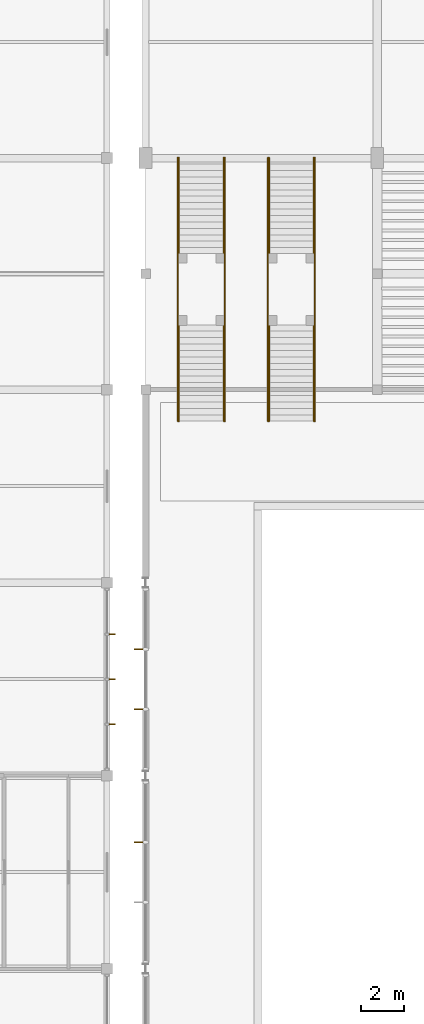
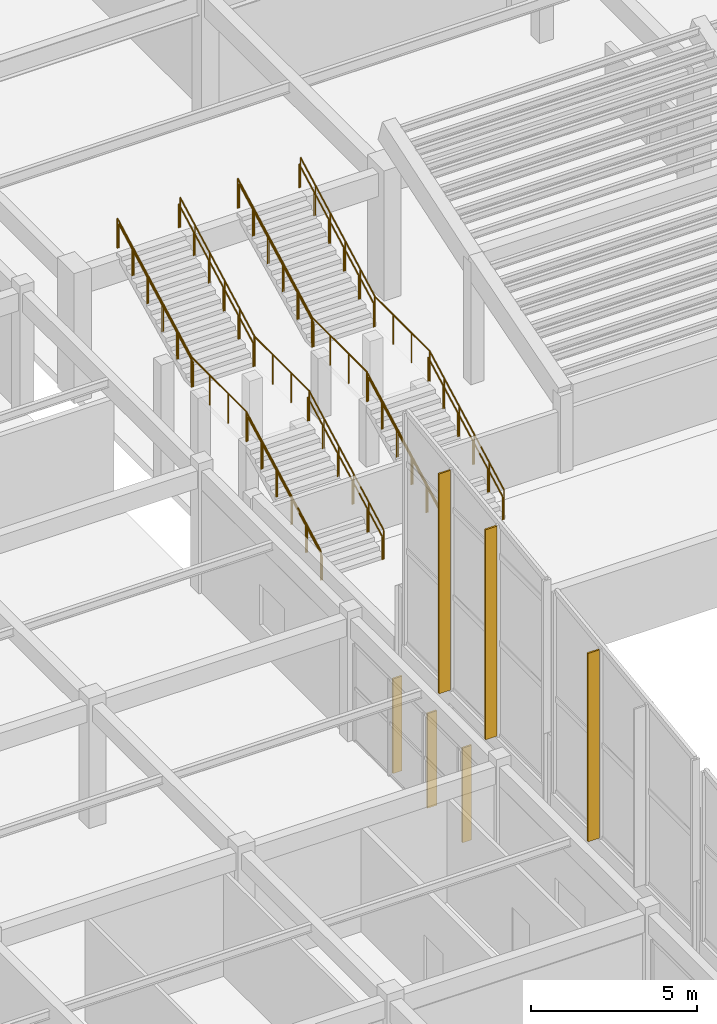
# One storey, part 69 of 82: 20 railings, 6 shading devices.
"""IFC4 building model written with IfcOpenShell, lengths in metres."""

import ifcopenshell
import ifcopenshell.guid

model = None  # the IFC model being written
_history = None  # IfcOwnerHistory: only IFC2X3 demands one
_inside = {}  # id of a spatial element -> (the spatial element, [elements in it])
_under = {}  # id of a project, library or spatial element -> (it, [spatial elements below it])
_declared = {}  # id of a project -> (the project, [libraries it declares])
_typed = {}  # id of a type object -> (the type object, [elements of that type])
_made_of = {}  # id of a material, layer set ... -> (it, [elements and type objects made of it])


def new_model(schema):
    """Start an empty IFC model of exactly this schema.

    Asked for "IFC4X3", IfcOpenShell would pick the latest addendum, in which some entities
    have other attributes; the version numbers below select the first issue.
    IFC2X3 requires an IfcOwnerHistory on every rooted entity: one is made here for all.
    """
    global model, _history
    if schema == "IFC4X3":
        model = ifcopenshell.file(schema_version=(4, 3, 0, 0))
    else:
        model = ifcopenshell.file(schema=schema)
    _inside.clear()
    _under.clear()
    _declared.clear()
    _typed.clear()
    _made_of.clear()
    _history = None
    if model.schema == "IFC2X3":
        org = make("IfcOrganization", Name="unknown")
        user = make(
            "IfcPersonAndOrganization",
            ThePerson=make("IfcPerson", FamilyName="unknown"),
            TheOrganization=org,
        )
        app = make(
            "IfcApplication",
            ApplicationDeveloper=org,
            Version="unknown",
            ApplicationFullName="unknown",
            ApplicationIdentifier="unknown",
        )
        _history = make(
            "IfcOwnerHistory",
            OwningUser=user,
            OwningApplication=app,
            ChangeAction="ADDED",
            CreationDate=0,
        )
    return model


def make(cls, **values):
    """One entity of the class cls with the attributes given. An attribute that is None is left unset."""
    return model.create_entity(
        cls, **{name: value for name, value in values.items() if value is not None}
    )


def rooted(cls, **values):
    """An entity with a GlobalId (a new one), such as an element, a storey or a relation."""
    return make(cls, GlobalId=ifcopenshell.guid.new(), OwnerHistory=_history, **values)


def si_unit(unit_type, name, prefix=None):
    """IfcSIUnit, for example si_unit("LENGTHUNIT", "METRE", prefix="MILLI")."""
    return make("IfcSIUnit", UnitType=unit_type, Prefix=prefix, Name=name)


def assignment(units):
    """IfcUnitAssignment: the units of a project."""
    return None if units is None else make("IfcUnitAssignment", Units=units)


def point(xyz):
    """IfcCartesianPoint."""
    return None if xyz is None else make("IfcCartesianPoint", Coordinates=xyz)


def direction(xyz):
    """IfcDirection."""
    return None if xyz is None else make("IfcDirection", DirectionRatios=xyz)


def frame(location, z_axis=None, x_axis=None):
    """IfcAxis2Placement3D, a coordinate frame: its origin and axes. An axis left out is left unset."""
    return make(
        "IfcAxis2Placement3D",
        Location=point(location),
        Axis=direction(z_axis),
        RefDirection=direction(x_axis),
    )


def frame_2d(location, x_axis=None):
    """IfcAxis2Placement2D, a coordinate frame in the plane: its origin and x axis."""
    return make(
        "IfcAxis2Placement2D", Location=point(location), RefDirection=direction(x_axis)
    )


def origin():
    """The frame at (0, 0, 0) with its axes left unset."""
    return frame((0.0, 0.0, 0.0))


def origin_2d():
    """The frame at (0, 0) in the plane with its x axis left unset."""
    return frame_2d((0.0, 0.0))


def place(relative_to, where):
    """IfcLocalPlacement: puts the frame where relative to a parent placement (None: the world)."""
    return make(
        "IfcLocalPlacement", PlacementRelTo=relative_to, RelativePlacement=where
    )


def context(
    kind, dimensions, precision=None, world=None, true_north=None, identifier=None
):
    """IfcGeometricRepresentationContext, for example the 3D "Model" context."""
    return make(
        "IfcGeometricRepresentationContext",
        ContextIdentifier=identifier,
        ContextType=kind,
        CoordinateSpaceDimension=dimensions,
        Precision=precision,
        WorldCoordinateSystem=world,
        TrueNorth=true_north,
    )


def subcontext(parent, identifier, kind, view, scale=None):
    """IfcGeometricRepresentationSubContext, for example "Body" below "Model"."""
    return make(
        "IfcGeometricRepresentationSubContext",
        ContextIdentifier=identifier,
        ContextType=kind,
        ParentContext=parent,
        TargetScale=scale,
        TargetView=view,
    )


def project(units=None, contexts=None):
    """IfcProject with its units and contexts."""
    return rooted(
        "IfcProject",
        Name="project",
        RepresentationContexts=contexts,
        UnitsInContext=assignment(units),
    )


def spatial(cls, under=None, at=None, **own):
    """A site, building, storey or space (cls), placed at a placement, below another one or the project."""
    s = rooted(cls, ObjectPlacement=at, **own)
    if under is not None:
        _under.setdefault(under.id(), (under, []))[1].append(s)
    return s


def profile(cls, at=None, kind="AREA", **sizes):
    """A parametric profile (cls). Its sizes go by their IFC names, for example OverallWidth=200.0."""
    return make(cls, ProfileType=kind, Position=at, **sizes)


def rectangle(**sizes):
    """IfcRectangleProfileDef."""
    return profile("IfcRectangleProfileDef", **sizes)


def circle(**sizes):
    """IfcCircleProfileDef."""
    return profile("IfcCircleProfileDef", **sizes)


def extrude(swept, where, along, depth):
    """IfcExtrudedAreaSolid: the profile swept, set in the frame where, extruded along a direction by depth."""
    return make(
        "IfcExtrudedAreaSolid",
        SweptArea=swept,
        Position=where,
        ExtrudedDirection=direction(along),
        Depth=depth,
    )


def shape(context_of_items, identifier, shape_type, items):
    """IfcShapeRepresentation: the items that make up one representation, for example the "Body"."""
    return make(
        "IfcShapeRepresentation",
        ContextOfItems=context_of_items,
        RepresentationIdentifier=identifier,
        RepresentationType=shape_type,
        Items=items,
    )


def material(Name=None, Category=None):
    """IfcMaterial."""
    return make("IfcMaterial", Name=Name, Category=Category)


def made_of(thing, what):
    """Note that an element or type object is made of a material, layer set ...; save() writes the relation."""
    if what is not None:
        _made_of.setdefault(what.id(), (what, []))[1].append(thing)
    return thing


def type_object(cls, material=None, **own):
    """A type object (cls), such as IfcWallType, which elements share."""
    return made_of(rooted(cls, **own), material)


def element(
    cls,
    number,
    at=None,
    inside=None,
    cuts=None,
    type_object=None,
    material=None,
    context=None,
    identifier="Body",
    shape_type=None,
    held_by="IfcProductDefinitionShape",
    body=None,
    shapes=None,
    **own,
):
    """One element of the class cls, such as IfcWall. Its Tag is "e" and its number.

    at: its placement. inside: the storey or other place that contains it. cuts: it is an
    opening in that element (IfcRelVoidsElement). A single representation is given by context,
    identifier, shape_type and body (its items); several are given by shapes. held_by: the class
    of the entity that holds the representations. save() writes the other relations.
    """
    e = rooted(cls, Tag="e%d" % number, ObjectPlacement=at, **own)
    if body is not None:
        shapes = [shape(context, identifier, shape_type, body)]
    if shapes is not None:
        e.Representation = make(held_by, Representations=shapes)
    if inside is not None:
        _inside.setdefault(inside.id(), (inside, []))[1].append(e)
    if cuts is not None:
        rooted(
            "IfcRelVoidsElement", RelatingBuildingElement=cuts, RelatedOpeningElement=e
        )
    if type_object is not None:
        _typed.setdefault(type_object.id(), (type_object, []))[1].append(e)
    return made_of(e, material)


def aggregate(whole, parts):
    """IfcRelAggregates: a whole, such as a stair, and the parts it consists of."""
    return rooted("IfcRelAggregates", RelatingObject=whole, RelatedObjects=parts)


def save(model, path):
    """Write the relations noted so far, then the file.

    IfcRelAggregates (storeys below a building ...), IfcRelContainedInSpatialStructure (elements
    in a storey), IfcRelDefinesByType, IfcRelAssociatesMaterial and IfcRelDeclares: one each for
    every whole, place, type object, material and project.
    """
    for whole, parts in _under.values():
        aggregate(whole, parts)
    for where, things in _inside.values():
        rooted(
            "IfcRelContainedInSpatialStructure",
            RelatedElements=things,
            RelatingStructure=where,
        )
    for kind, things in _typed.values():
        rooted("IfcRelDefinesByType", RelatedObjects=things, RelatingType=kind)
    for what, things in _made_of.values():
        rooted("IfcRelAssociatesMaterial", RelatedObjects=things, RelatingMaterial=what)
    for by, libraries in _declared.values():
        rooted("IfcRelDeclares", RelatingContext=by, RelatedDefinitions=libraries)
    model.write(path)


model = new_model("IFC4")

# Units and contexts
model_context = context("Model", 3, precision=1e-05, world=origin(), true_north=direction((0.0, 1.0)))
body_context = subcontext(model_context, "Body", "Model", "MODEL_VIEW")
ifc_project = project(units=[si_unit("LENGTHUNIT", "METRE"), si_unit("AREAUNIT", "SQUARE_METRE"), si_unit("VOLUMEUNIT", "CUBIC_METRE"), si_unit("PLANEANGLEUNIT", "RADIAN"), si_unit("MASSUNIT", "GRAM", prefix="KILO")], contexts=[model_context])

# Site, building, storey
site_placement = place(None, origin())
site = spatial("IfcSite", under=ifc_project, at=site_placement, CompositionType="ELEMENT")
building_placement = place(site_placement, origin())
building = spatial("IfcBuilding", under=site, at=building_placement, Name="Suirenkawa Promenade Aquatics Centre", CompositionType="ELEMENT")
storey_placement = place(building_placement, origin())
storey = spatial("IfcBuildingStorey", under=building, at=storey_placement, Name="L00", CompositionType="ELEMENT", Elevation=0.0)

# Railings
ifc_material_1 = material(Name="Marine-grade stainless steel Grade 316L", Category="steel")
railing_type_1 = type_object("IfcRailingType", Name="RLT-GUARD-1120", PredefinedType="GUARDRAIL", material=ifc_material_1)
for number, where, name in (
    (1, (48.304931640625, 84.929931640625, 0.0), "Guardrail GRD-01 RL-0211"),
    (2, (50.4951171875, 84.929931640625, 0.0), "Guardrail GRD-01 RL-0213"),
):
    element("IfcRailing", number, at=place(storey_placement, frame(where)), inside=storey, type_object=railing_type_1, Name=name, PredefinedType="GUARDRAIL", context=body_context, shape_type="SweptSolid", body=[
        extrude(circle(Radius=0.02392578125, at=origin_2d()), frame((0.0, 0.0, 1.09619140625), z_axis=(0.0, 0.882360891967, 0.470573327259), x_axis=(-1.0, 0.0, 0.0)), (0.0, 0.0, 1.0), 5.099853515625),
        extrude(circle(Radius=0.02099609375, at=origin_2d()), origin(), (0.0, 0.0, 1.0), 1.072021484375),
        extrude(circle(Radius=0.02099609375, at=origin_2d()), frame((0.0, 0.89990234375, 0.47998046875)), (0.0, 0.0, 1.0), 1.072021484375),
        extrude(circle(Radius=0.02099609375, at=origin_2d()), frame((0.0, 1.800048828125, 0.9599609375)), (0.0, 0.0, 1.0), 1.072021484375),
        extrude(circle(Radius=0.02099609375, at=origin_2d()), frame((0.0, 2.699951171875, 1.43994140625)), (0.0, 0.0, 1.0), 1.072021484375),
        extrude(circle(Radius=0.02099609375, at=origin_2d()), frame((0.0, 3.60009765625, 1.919921875)), (0.0, 0.0, 1.0), 1.072021484375),
        extrude(circle(Radius=0.02099609375, at=origin_2d()), frame((0.0, 4.5, 2.39990234375)), (0.0, 0.0, 1.0), 1.072021484375),
    ])
for number, where, name in (
    (3, (48.304931640625, 92.719970703125, 2.39990234375), "Guardrail GRD-01 RL-0215"),
    (4, (50.4951171875, 92.719970703125, 2.39990234375), "Guardrail GRD-01 RL-0217"),
):
    element("IfcRailing", number, at=place(storey_placement, frame(where)), inside=storey, type_object=railing_type_1, Name=name, PredefinedType="GUARDRAIL", context=body_context, shape_type="SweptSolid", body=[
        extrude(circle(Radius=0.02392578125, at=origin_2d()), frame((0.0, 0.0, 1.09619140625), z_axis=(0.0, 0.882341014787, 0.470610596591), x_axis=(-1.0, 0.0, 0.0)), (0.0, 0.0, 1.0), 5.10009765625),
        extrude(circle(Radius=0.02099609375, at=origin_2d()), origin(), (0.0, 0.0, 1.0), 1.072021484375),
        extrude(circle(Radius=0.02099609375, at=origin_2d()), frame((0.0, 0.89990234375, 0.47998046875)), (0.0, 0.0, 1.0), 1.072021484375),
        extrude(circle(Radius=0.02099609375, at=origin_2d()), frame((0.0, 1.800048828125, 0.9599609375)), (0.0, 0.0, 1.0), 1.072021484375),
        extrude(circle(Radius=0.02099609375, at=origin_2d()), frame((0.0, 2.699951171875, 1.440185546875)), (0.0, 0.0, 1.0), 1.072021484375),
        extrude(circle(Radius=0.02099609375, at=origin_2d()), frame((0.0, 3.60009765625, 1.920166015625)), (0.0, 0.0, 1.0), 1.072021484375),
        extrude(circle(Radius=0.02099609375, at=origin_2d()), frame((0.0, 4.5, 2.400146484375)), (0.0, 0.0, 1.0), 1.072021484375),
    ])
for number, where, name in (
    (5, (48.304931640625, 89.405029296875, 2.39990234375), "Guardrail GRD-01 RL-0219"),
    (6, (50.4951171875, 89.405029296875, 2.39990234375), "Guardrail GRD-01 RL-0220"),
):
    element("IfcRailing", number, at=place(storey_placement, frame(where)), inside=storey, type_object=railing_type_1, Name=name, PredefinedType="GUARDRAIL", context=body_context, shape_type="SweptSolid", body=[
        extrude(circle(Radius=0.02392578125, at=origin_2d()), frame((0.0, 0.0, 1.09619140625), z_axis=(0.0, 1.0, 0.0), x_axis=(-1.0, 0.0, 0.0)), (0.0, 0.0, 1.0), 3.340087890625),
        extrude(circle(Radius=0.02099609375, at=origin_2d()), origin(), (0.0, 0.0, 1.0), 1.072021484375),
        extrude(circle(Radius=0.02099609375, at=origin_2d()), frame((0.0, 1.11328125, 0.0)), (0.0, 0.0, 1.0), 1.072021484375),
        extrude(circle(Radius=0.02099609375, at=origin_2d()), frame((0.0, 2.226806640625, 0.0)), (0.0, 0.0, 1.0), 1.072021484375),
        extrude(circle(Radius=0.02099609375, at=origin_2d()), frame((0.0, 3.340087890625, 0.0)), (0.0, 0.0, 1.0), 1.072021484375),
    ])
for number, where, name in (
    (7, (52.5048828125, 84.929931640625, 0.0), "Guardrail GRD-01 RL-0221"),
    (8, (54.695068359375, 84.929931640625, 0.0), "Guardrail GRD-01 RL-0223"),
):
    element("IfcRailing", number, at=place(storey_placement, frame(where)), inside=storey, type_object=railing_type_1, Name=name, PredefinedType="GUARDRAIL", context=body_context, shape_type="SweptSolid", body=[
        extrude(circle(Radius=0.02392578125, at=origin_2d()), frame((0.0, 0.0, 1.09619140625), z_axis=(0.0, 0.882360891967, 0.470573327259), x_axis=(-1.0, 0.0, 0.0)), (0.0, 0.0, 1.0), 5.099853515625),
        extrude(circle(Radius=0.02099609375, at=origin_2d()), origin(), (0.0, 0.0, 1.0), 1.072021484375),
        extrude(circle(Radius=0.02099609375, at=origin_2d()), frame((0.0, 0.89990234375, 0.47998046875)), (0.0, 0.0, 1.0), 1.072021484375),
        extrude(circle(Radius=0.02099609375, at=origin_2d()), frame((0.0, 1.800048828125, 0.9599609375)), (0.0, 0.0, 1.0), 1.072021484375),
        extrude(circle(Radius=0.02099609375, at=origin_2d()), frame((0.0, 2.699951171875, 1.43994140625)), (0.0, 0.0, 1.0), 1.072021484375),
        extrude(circle(Radius=0.02099609375, at=origin_2d()), frame((0.0, 3.60009765625, 1.919921875)), (0.0, 0.0, 1.0), 1.072021484375),
        extrude(circle(Radius=0.02099609375, at=origin_2d()), frame((0.0, 4.5, 2.39990234375)), (0.0, 0.0, 1.0), 1.072021484375),
    ])
for number, where, name in (
    (9, (52.5048828125, 92.719970703125, 2.39990234375), "Guardrail GRD-01 RL-0225"),
    (10, (54.695068359375, 92.719970703125, 2.39990234375), "Guardrail GRD-01 RL-0227"),
):
    element("IfcRailing", number, at=place(storey_placement, frame(where)), inside=storey, type_object=railing_type_1, Name=name, PredefinedType="GUARDRAIL", context=body_context, shape_type="SweptSolid", body=[
        extrude(circle(Radius=0.02392578125, at=origin_2d()), frame((0.0, 0.0, 1.09619140625), z_axis=(0.0, 0.882341014787, 0.470610596591), x_axis=(-1.0, 0.0, 0.0)), (0.0, 0.0, 1.0), 5.10009765625),
        extrude(circle(Radius=0.02099609375, at=origin_2d()), origin(), (0.0, 0.0, 1.0), 1.072021484375),
        extrude(circle(Radius=0.02099609375, at=origin_2d()), frame((0.0, 0.89990234375, 0.47998046875)), (0.0, 0.0, 1.0), 1.072021484375),
        extrude(circle(Radius=0.02099609375, at=origin_2d()), frame((0.0, 1.800048828125, 0.9599609375)), (0.0, 0.0, 1.0), 1.072021484375),
        extrude(circle(Radius=0.02099609375, at=origin_2d()), frame((0.0, 2.699951171875, 1.440185546875)), (0.0, 0.0, 1.0), 1.072021484375),
        extrude(circle(Radius=0.02099609375, at=origin_2d()), frame((0.0, 3.60009765625, 1.920166015625)), (0.0, 0.0, 1.0), 1.072021484375),
        extrude(circle(Radius=0.02099609375, at=origin_2d()), frame((0.0, 4.5, 2.400146484375)), (0.0, 0.0, 1.0), 1.072021484375),
    ])
for number, where, name in (
    (11, (52.5048828125, 89.405029296875, 2.39990234375), "Guardrail GRD-01 RL-0229"),
    (12, (54.695068359375, 89.405029296875, 2.39990234375), "Guardrail GRD-01 RL-0230"),
):
    element("IfcRailing", number, at=place(storey_placement, frame(where)), inside=storey, type_object=railing_type_1, Name=name, PredefinedType="GUARDRAIL", context=body_context, shape_type="SweptSolid", body=[
        extrude(circle(Radius=0.02392578125, at=origin_2d()), frame((0.0, 0.0, 1.09619140625), z_axis=(0.0, 1.0, 0.0), x_axis=(-1.0, 0.0, 0.0)), (0.0, 0.0, 1.0), 3.340087890625),
        extrude(circle(Radius=0.02099609375, at=origin_2d()), origin(), (0.0, 0.0, 1.0), 1.072021484375),
        extrude(circle(Radius=0.02099609375, at=origin_2d()), frame((0.0, 1.11328125, 0.0)), (0.0, 0.0, 1.0), 1.072021484375),
        extrude(circle(Radius=0.02099609375, at=origin_2d()), frame((0.0, 2.226806640625, 0.0)), (0.0, 0.0, 1.0), 1.072021484375),
        extrude(circle(Radius=0.02099609375, at=origin_2d()), frame((0.0, 3.340087890625, 0.0)), (0.0, 0.0, 1.0), 1.072021484375),
    ])
railing_type_2 = type_object("IfcRailingType", Name="RLT-HANDRAIL-900", PredefinedType="HANDRAIL", material=ifc_material_1)
for number, where, name in (
    (13, (48.35498046875, 84.929931640625, 0.0), "Handrail HRL-01 RL-0212"),
    (14, (50.445068359375, 84.929931640625, 0.0), "Handrail HRL-01 RL-0214"),
):
    element("IfcRailing", number, at=place(storey_placement, frame(where)), inside=storey, type_object=railing_type_2, Name=name, PredefinedType="HANDRAIL", context=body_context, shape_type="SweptSolid", body=[
        extrude(circle(Radius=0.02392578125, at=origin_2d()), frame((0.0, 0.0, 0.8759765625), z_axis=(0.0, 0.882360891967, 0.470573327259), x_axis=(-1.0, 0.0, 0.0)), (0.0, 0.0, 1.0), 5.099853515625),
        extrude(circle(Radius=0.02099609375, at=origin_2d()), origin(), (0.0, 0.0, 1.0), 0.851806640625),
        extrude(circle(Radius=0.02099609375, at=origin_2d()), frame((0.0, 0.89990234375, 0.47998046875)), (0.0, 0.0, 1.0), 0.851806640625),
        extrude(circle(Radius=0.02099609375, at=origin_2d()), frame((0.0, 1.800048828125, 0.9599609375)), (0.0, 0.0, 1.0), 0.851806640625),
        extrude(circle(Radius=0.02099609375, at=origin_2d()), frame((0.0, 2.699951171875, 1.43994140625)), (0.0, 0.0, 1.0), 0.851806640625),
        extrude(circle(Radius=0.02099609375, at=origin_2d()), frame((0.0, 3.60009765625, 1.919921875)), (0.0, 0.0, 1.0), 0.851806640625),
        extrude(circle(Radius=0.02099609375, at=origin_2d()), frame((0.0, 4.5, 2.39990234375)), (0.0, 0.0, 1.0), 0.851806640625),
    ])
for number, where, name in (
    (15, (48.35498046875, 92.719970703125, 2.39990234375), "Handrail HRL-01 RL-0216"),
    (16, (50.445068359375, 92.719970703125, 2.39990234375), "Handrail HRL-01 RL-0218"),
):
    element("IfcRailing", number, at=place(storey_placement, frame(where)), inside=storey, type_object=railing_type_2, Name=name, PredefinedType="HANDRAIL", context=body_context, shape_type="SweptSolid", body=[
        extrude(circle(Radius=0.02392578125, at=origin_2d()), frame((0.0, 0.0, 0.8759765625), z_axis=(0.0, 0.882341014787, 0.470610596591), x_axis=(-1.0, 0.0, 0.0)), (0.0, 0.0, 1.0), 5.10009765625),
        extrude(circle(Radius=0.02099609375, at=origin_2d()), origin(), (0.0, 0.0, 1.0), 0.851806640625),
        extrude(circle(Radius=0.02099609375, at=origin_2d()), frame((0.0, 0.89990234375, 0.47998046875)), (0.0, 0.0, 1.0), 0.851806640625),
        extrude(circle(Radius=0.02099609375, at=origin_2d()), frame((0.0, 1.800048828125, 0.9599609375)), (0.0, 0.0, 1.0), 0.851806640625),
        extrude(circle(Radius=0.02099609375, at=origin_2d()), frame((0.0, 2.699951171875, 1.440185546875)), (0.0, 0.0, 1.0), 0.851806640625),
        extrude(circle(Radius=0.02099609375, at=origin_2d()), frame((0.0, 3.60009765625, 1.920166015625)), (0.0, 0.0, 1.0), 0.851806640625),
        extrude(circle(Radius=0.02099609375, at=origin_2d()), frame((0.0, 4.5, 2.400146484375)), (0.0, 0.0, 1.0), 0.851806640625),
    ])
for number, where, name in (
    (17, (52.554931640625, 84.929931640625, 0.0), "Handrail HRL-01 RL-0222"),
    (18, (54.64501953125, 84.929931640625, 0.0), "Handrail HRL-01 RL-0224"),
):
    element("IfcRailing", number, at=place(storey_placement, frame(where)), inside=storey, type_object=railing_type_2, Name=name, PredefinedType="HANDRAIL", context=body_context, shape_type="SweptSolid", body=[
        extrude(circle(Radius=0.02392578125, at=origin_2d()), frame((0.0, 0.0, 0.8759765625), z_axis=(0.0, 0.882360891967, 0.470573327259), x_axis=(-1.0, 0.0, 0.0)), (0.0, 0.0, 1.0), 5.099853515625),
        extrude(circle(Radius=0.02099609375, at=origin_2d()), origin(), (0.0, 0.0, 1.0), 0.851806640625),
        extrude(circle(Radius=0.02099609375, at=origin_2d()), frame((0.0, 0.89990234375, 0.47998046875)), (0.0, 0.0, 1.0), 0.851806640625),
        extrude(circle(Radius=0.02099609375, at=origin_2d()), frame((0.0, 1.800048828125, 0.9599609375)), (0.0, 0.0, 1.0), 0.851806640625),
        extrude(circle(Radius=0.02099609375, at=origin_2d()), frame((0.0, 2.699951171875, 1.43994140625)), (0.0, 0.0, 1.0), 0.851806640625),
        extrude(circle(Radius=0.02099609375, at=origin_2d()), frame((0.0, 3.60009765625, 1.919921875)), (0.0, 0.0, 1.0), 0.851806640625),
        extrude(circle(Radius=0.02099609375, at=origin_2d()), frame((0.0, 4.5, 2.39990234375)), (0.0, 0.0, 1.0), 0.851806640625),
    ])
for number, where, name in (
    (19, (52.554931640625, 92.719970703125, 2.39990234375), "Handrail HRL-01 RL-0226"),
    (20, (54.64501953125, 92.719970703125, 2.39990234375), "Handrail HRL-01 RL-0228"),
):
    element("IfcRailing", number, at=place(storey_placement, frame(where)), inside=storey, type_object=railing_type_2, Name=name, PredefinedType="HANDRAIL", context=body_context, shape_type="SweptSolid", body=[
        extrude(circle(Radius=0.02392578125, at=origin_2d()), frame((0.0, 0.0, 0.8759765625), z_axis=(0.0, 0.882341014787, 0.470610596591), x_axis=(-1.0, 0.0, 0.0)), (0.0, 0.0, 1.0), 5.10009765625),
        extrude(circle(Radius=0.02099609375, at=origin_2d()), origin(), (0.0, 0.0, 1.0), 0.851806640625),
        extrude(circle(Radius=0.02099609375, at=origin_2d()), frame((0.0, 0.89990234375, 0.47998046875)), (0.0, 0.0, 1.0), 0.851806640625),
        extrude(circle(Radius=0.02099609375, at=origin_2d()), frame((0.0, 1.800048828125, 0.9599609375)), (0.0, 0.0, 1.0), 0.851806640625),
        extrude(circle(Radius=0.02099609375, at=origin_2d()), frame((0.0, 2.699951171875, 1.440185546875)), (0.0, 0.0, 1.0), 0.851806640625),
        extrude(circle(Radius=0.02099609375, at=origin_2d()), frame((0.0, 3.60009765625, 1.920166015625)), (0.0, 0.0, 1.0), 0.851806640625),
        extrude(circle(Radius=0.02099609375, at=origin_2d()), frame((0.0, 4.5, 2.400146484375)), (0.0, 0.0, 1.0), 0.851806640625),
    ])

# Shading devices
ifc_material_2 = material(Name="Anodised aluminium 6063-T6", Category="aluminium")
shading_device_type_1 = type_object("IfcShadingDeviceType", Name="SDT-KOUSHI-320", PredefinedType="USERDEFINED", material=ifc_material_2)
for number, where, z_axis, x_axis, name in (
    (21, (45.23193359375, 75.00048828125, 0.0400390625), (0.0, 0.0, 1.0), (1.0, 0.0, 0.0), "Vertical solar shading fin FN-02 FIN-0089"),
    (22, (45.23193359375, 72.89990234375, 0.0400390625), (0.0, 0.0, 1.0), (1.0, 0.0, 0.0), "Vertical solar shading fin FN-02 FIN-0090"),
    (23, (45.23193359375, 70.799560546875, 0.0400390625), (0.0, 0.0, 1.0), (1.0, 0.0, 0.0), "Vertical solar shading fin FN-02 FIN-0091"),
):
    element("IfcShadingDevice", number, at=place(storey_placement, frame(where, z_axis=z_axis, x_axis=x_axis)), inside=storey, type_object=shading_device_type_1, Name=name, ObjectType="FIN", PredefinedType="USERDEFINED", context=body_context, shape_type="SweptSolid", body=[
        extrude(rectangle(XDim=0.320068359375, YDim=0.06005859375, at=origin_2d()), origin(), (0.0, 0.0, 1.0), 3.489990234375),
    ])
shading_device_type_2 = type_object("IfcShadingDeviceType", Name="SDT-KOUSHI-400", PredefinedType="USERDEFINED", material=ifc_material_2)
shading_device_1_placement = place(storey_placement, frame((46.47802734375, 65.30029296875, 2.989990234375), z_axis=(0.0, 0.0, 1.0), x_axis=(-1.0, 0.0, 0.0)))
element("IfcShadingDevice", 24, at=shading_device_1_placement, inside=storey, type_object=shading_device_type_2, Name="Vertical solar shading fin FN-01 FIN-0004", ObjectType="FIN", PredefinedType="USERDEFINED", context=body_context, shape_type="SweptSolid", body=[
    extrude(rectangle(XDim=0.39990234375, YDim=0.06005859375, at=origin_2d()), origin(), (0.0, 0.0, 1.0), 6.9404296875),
])
shading_device_2_placement = place(storey_placement, frame((46.47802734375, 71.499755859375, 2.990234375), z_axis=(0.0, 0.0, 1.0), x_axis=(-1.0, 0.0, 0.0)))
element("IfcShadingDevice", 25, at=shading_device_2_placement, inside=storey, type_object=shading_device_type_2, Name="Vertical solar shading fin FN-01 FIN-0005", ObjectType="FIN", PredefinedType="USERDEFINED", context=body_context, shape_type="SweptSolid", body=[
    extrude(rectangle(XDim=0.39990234375, YDim=0.06005859375, at=origin_2d()), origin(), (0.0, 0.0, 1.0), 7.739501953125),
])
shading_device_3_placement = place(storey_placement, frame((46.47802734375, 74.30029296875, 2.989990234375), z_axis=(0.0, 0.0, 1.0), x_axis=(-1.0, 0.0, 0.0)))
element("IfcShadingDevice", 26, at=shading_device_3_placement, inside=storey, type_object=shading_device_type_2, Name="Vertical solar shading fin FN-01 FIN-0006", ObjectType="FIN", PredefinedType="USERDEFINED", context=body_context, shape_type="SweptSolid", body=[
    extrude(rectangle(XDim=0.39990234375, YDim=0.06005859375, at=origin_2d()), origin(), (0.0, 0.0, 1.0), 8.1005859375),
])

save(model, "model.ifc")
